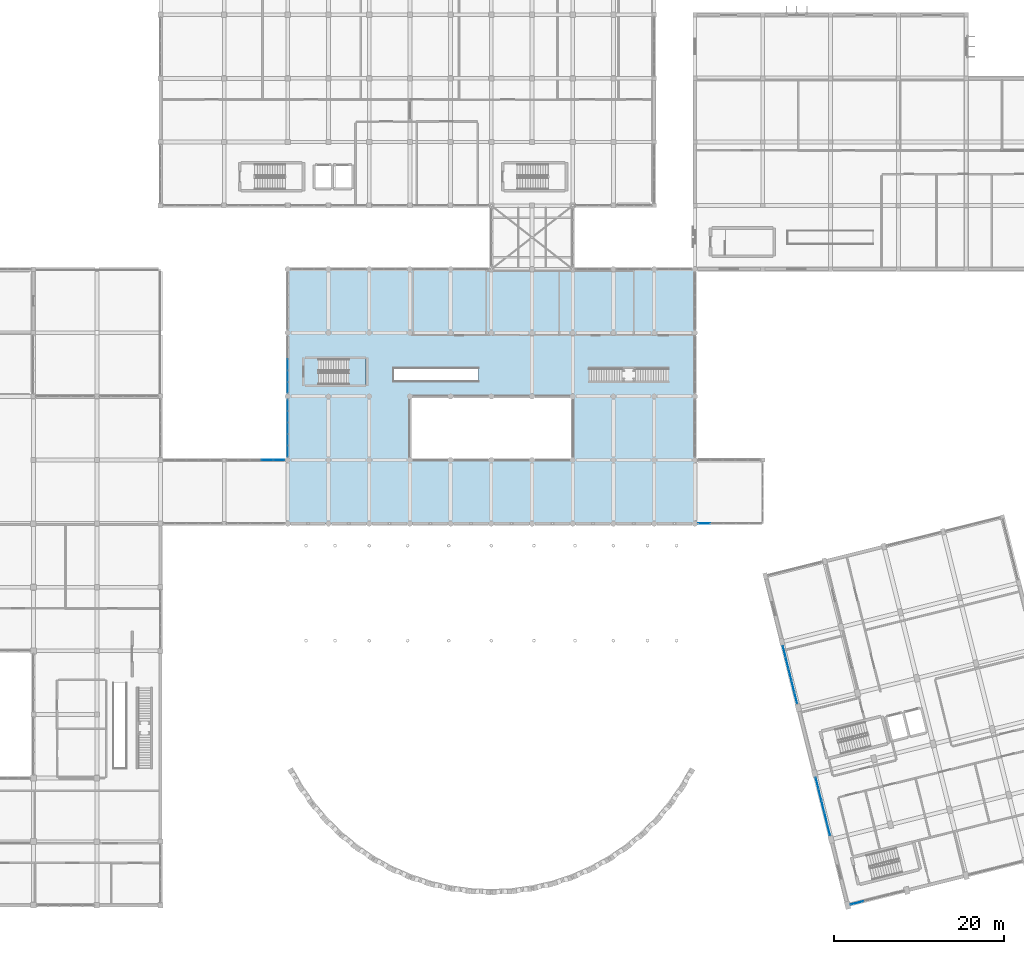
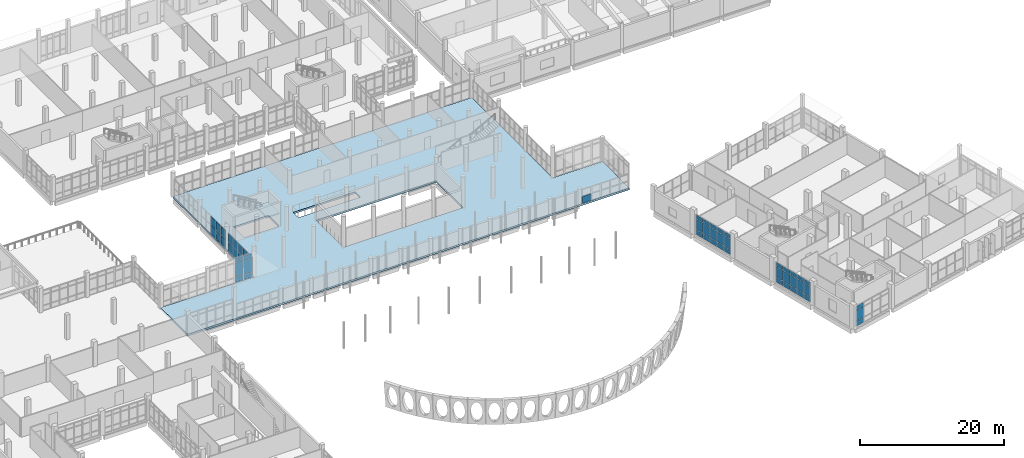
# One storey, part 126 of 164: 56 plates, 2 slabs, 8 elements without a shape of their own.
"""IFC4 building model written with IfcOpenShell, lengths in metres."""

from ifc_helpers import new_model, si_unit, direction, frame, origin, origin_2d, place, context, subcontext, project, spatial, polyline, rectangle, outline, extrude, material, layer, layer_set, type_object, element, aggregate, save


model = new_model("IFC4")

# Units and contexts
model_context = context("Model", 3, precision=1e-05, world=origin(), true_north=direction((0.0, 1.0)))
body_context = subcontext(model_context, "Body", "Model", "MODEL_VIEW")
ifc_project = project(units=[si_unit("LENGTHUNIT", "METRE"), si_unit("AREAUNIT", "SQUARE_METRE"), si_unit("VOLUMEUNIT", "CUBIC_METRE"), si_unit("PLANEANGLEUNIT", "RADIAN"), si_unit("MASSUNIT", "GRAM", prefix="KILO")], contexts=[model_context])

# Site, building, storey
site_placement = place(None, origin())
site = spatial("IfcSite", under=ifc_project, at=site_placement, CompositionType="ELEMENT")
building_placement = place(site_placement, origin())
building = spatial("IfcBuilding", under=site, at=building_placement, Name="Mawjan Specialist Oncology Clinic", CompositionType="ELEMENT")
storey_placement = place(building_placement, frame((0.0, 0.0, 5.0)))
storey = spatial("IfcBuildingStorey", under=building, at=storey_placement, Name="L01", CompositionType="ELEMENT", Elevation=5.0)

# Curtain wall, plates
ifc_material_1 = material(Name="Unitised spectrally selective aluminium curtain wall", Category="aluminium")
ifc_layer_1 = layer(ifc_material_1, 0.179931640625, Name="Unitised spectrally selective aluminium curtain wall", Category="aluminium")
ifc_layer_set_1 = layer_set([ifc_layer_1], Name="Unitised spectrally selective aluminium curtain wall")
curtain_wall_type_1 = type_object("IfcCurtainWallType", Name="CW-45", PredefinedType="NOTDEFINED", material=ifc_layer_set_1)
curtain_wall_1_placement = place(storey_placement, origin())
curtain_wall_1 = element("IfcCurtainWall", 1, at=curtain_wall_1_placement, inside=storey, type_object=curtain_wall_type_1, Name="L01 Unitised Curtain Wall CW-L01-089", PredefinedType="NOTDEFINED")
ifc_material_2 = material(Name="Spectrally selective double low-E glazing", Category="glass")
ifc_layer_2 = layer(ifc_material_2, 0.031982421875, Name="Spectrally selective double low-E glazing", Category="glass")
ifc_layer_set_2 = layer_set([ifc_layer_2], Name="Spectrally selective double low-E glazing")
plate_type = type_object("IfcPlateType", Name="CW-P32", PredefinedType="CURTAIN_PANEL", material=ifc_layer_set_2)
plate_1_placement = place(storey_placement, frame((127.121826171875, 1.079833984375, 0.06494140625), z_axis=(0.0, 0.0, 1.0), x_axis=(-0.970295704615, -0.241921982475, 0.0)))
plate_1 = element("IfcPlate", 2, at=plate_1_placement, type_object=plate_type, Name="CW-45 panel 4.1", PredefinedType="CURTAIN_PANEL", context=body_context, shape_type="SweptSolid", body=[
    extrude(rectangle(XDim=1.54248046875, YDim=0.031982421875, at=origin_2d()), origin(), (0.0, 0.0, 1.0), 0.802490234375),
])
plate_2_placement = place(storey_placement, frame((127.121826171875, 1.079833984375, 0.932373046875), z_axis=(0.0, 0.0, 1.0), x_axis=(-0.970295704615, -0.241921982475, 0.0)))
plate_2 = element("IfcPlate", 3, at=plate_2_placement, type_object=plate_type, Name="CW-45 panel 4.2", PredefinedType="CURTAIN_PANEL", context=body_context, shape_type="SweptSolid", body=[
    extrude(rectangle(XDim=1.54248046875, YDim=0.031982421875, at=origin_2d()), origin(), (0.0, 0.0, 1.0), 1.77001953125),
])
plate_3_placement = place(storey_placement, frame((127.121826171875, 1.079833984375, 2.767578125), z_axis=(0.0, 0.0, 1.0), x_axis=(-0.970295704615, -0.241921982475, 0.0)))
plate_3 = element("IfcPlate", 4, at=plate_3_placement, type_object=plate_type, Name="CW-45 panel 4.3", PredefinedType="CURTAIN_PANEL", context=body_context, shape_type="SweptSolid", body=[
    extrude(rectangle(XDim=1.54248046875, YDim=0.031982421875, at=origin_2d()), origin(), (0.0, 0.0, 1.0), 0.652587890625),
])
aggregate(curtain_wall_1, [plate_1, plate_2, plate_3])

ifc_material_3 = material(Name="Unitised spectrally selective aluminium curtain wall", Category="aluminium")
ifc_layer_3 = layer(ifc_material_3, 0.179931640625, Name="Unitised spectrally selective aluminium curtain wall", Category="aluminium")
ifc_layer_set_3 = layer_set([ifc_layer_3], Name="Unitised spectrally selective aluminium curtain wall")
curtain_wall_type_2 = type_object("IfcCurtainWallType", Name="CW-46", PredefinedType="NOTDEFINED", material=ifc_layer_set_3)
curtain_wall_2_placement = place(storey_placement, origin())
curtain_wall_2 = element("IfcCurtainWall", 5, at=curtain_wall_2_placement, inside=storey, type_object=curtain_wall_type_2, Name="L01 Unitised Curtain Wall CW-L01-090", PredefinedType="NOTDEFINED")
plate_4_placement = place(storey_placement, frame((123.776123046875, 9.71923828125, 0.06494140625), z_axis=(0.0, 0.0, 1.0), x_axis=(-0.241922078835, 0.97029568059, 0.0)))
plate_4 = element("IfcPlate", 6, at=plate_4_placement, type_object=plate_type, Name="CW-46 panel 1.1", PredefinedType="CURTAIN_PANEL", context=body_context, shape_type="SweptSolid", body=[
    extrude(rectangle(XDim=1.314453125, YDim=0.031982421875, at=origin_2d()), origin(), (0.0, 0.0, 1.0), 0.802490234375),
])
plate_5_placement = place(storey_placement, frame((123.776123046875, 9.71923828125, 0.932373046875), z_axis=(0.0, 0.0, 1.0), x_axis=(-0.241922078835, 0.97029568059, 0.0)))
plate_5 = element("IfcPlate", 7, at=plate_5_placement, type_object=plate_type, Name="CW-46 panel 1.2", PredefinedType="CURTAIN_PANEL", context=body_context, shape_type="SweptSolid", body=[
    extrude(rectangle(XDim=1.314453125, YDim=0.031982421875, at=origin_2d()), origin(), (0.0, 0.0, 1.0), 1.77001953125),
])
plate_6_placement = place(storey_placement, frame((123.776123046875, 9.71923828125, 2.767578125), z_axis=(0.0, 0.0, 1.0), x_axis=(-0.241922078835, 0.97029568059, 0.0)))
plate_6 = element("IfcPlate", 8, at=plate_6_placement, type_object=plate_type, Name="CW-46 panel 1.3", PredefinedType="CURTAIN_PANEL", context=body_context, shape_type="SweptSolid", body=[
    extrude(rectangle(XDim=1.314453125, YDim=0.031982421875, at=origin_2d()), origin(), (0.0, 0.0, 1.0), 0.652587890625),
])
plate_7_placement = place(storey_placement, frame((123.4384765625, 11.073486328125, 0.06494140625), z_axis=(0.0, 0.0, 1.0), x_axis=(-0.241922078835, 0.97029568059, 0.0)))
plate_7 = element("IfcPlate", 9, at=plate_7_placement, type_object=plate_type, Name="CW-46 panel 2.1", PredefinedType="CURTAIN_PANEL", context=body_context, shape_type="SweptSolid", body=[
    extrude(rectangle(XDim=1.346923828125, YDim=0.031982421875, at=origin_2d()), origin(), (0.0, 0.0, 1.0), 0.802490234375),
])
plate_8_placement = place(storey_placement, frame((123.4384765625, 11.073486328125, 0.932373046875), z_axis=(0.0, 0.0, 1.0), x_axis=(-0.241922078835, 0.97029568059, 0.0)))
plate_8 = element("IfcPlate", 10, at=plate_8_placement, type_object=plate_type, Name="CW-46 panel 2.2", PredefinedType="CURTAIN_PANEL", context=body_context, shape_type="SweptSolid", body=[
    extrude(rectangle(XDim=1.346923828125, YDim=0.031982421875, at=origin_2d()), origin(), (0.0, 0.0, 1.0), 1.77001953125),
])
plate_9_placement = place(storey_placement, frame((123.4384765625, 11.073486328125, 2.767578125), z_axis=(0.0, 0.0, 1.0), x_axis=(-0.241922078835, 0.97029568059, 0.0)))
plate_9 = element("IfcPlate", 11, at=plate_9_placement, type_object=plate_type, Name="CW-46 panel 2.3", PredefinedType="CURTAIN_PANEL", context=body_context, shape_type="SweptSolid", body=[
    extrude(rectangle(XDim=1.346923828125, YDim=0.031982421875, at=origin_2d()), origin(), (0.0, 0.0, 1.0), 0.652587890625),
])
plate_10_placement = place(storey_placement, frame((123.096923828125, 12.443603515625, 0.06494140625), z_axis=(0.0, 0.0, 1.0), x_axis=(-0.241922078835, 0.97029568059, 0.0)))
plate_10 = element("IfcPlate", 12, at=plate_10_placement, type_object=plate_type, Name="CW-46 panel 3.1", PredefinedType="CURTAIN_PANEL", context=body_context, shape_type="SweptSolid", body=[
    extrude(rectangle(XDim=1.346923828125, YDim=0.031982421875, at=origin_2d()), origin(), (0.0, 0.0, 1.0), 0.802490234375),
])
plate_11_placement = place(storey_placement, frame((123.096923828125, 12.443603515625, 0.932373046875), z_axis=(0.0, 0.0, 1.0), x_axis=(-0.241922078835, 0.97029568059, 0.0)))
plate_11 = element("IfcPlate", 13, at=plate_11_placement, type_object=plate_type, Name="CW-46 panel 3.2", PredefinedType="CURTAIN_PANEL", context=body_context, shape_type="SweptSolid", body=[
    extrude(rectangle(XDim=1.346923828125, YDim=0.031982421875, at=origin_2d()), origin(), (0.0, 0.0, 1.0), 1.77001953125),
])
plate_12_placement = place(storey_placement, frame((123.096923828125, 12.443603515625, 2.767578125), z_axis=(0.0, 0.0, 1.0), x_axis=(-0.241922078835, 0.97029568059, 0.0)))
plate_12 = element("IfcPlate", 14, at=plate_12_placement, type_object=plate_type, Name="CW-46 panel 3.3", PredefinedType="CURTAIN_PANEL", context=body_context, shape_type="SweptSolid", body=[
    extrude(rectangle(XDim=1.346923828125, YDim=0.031982421875, at=origin_2d()), origin(), (0.0, 0.0, 1.0), 0.652587890625),
])
plate_13_placement = place(storey_placement, frame((122.75537109375, 13.813720703125, 0.06494140625), z_axis=(0.0, 0.0, 1.0), x_axis=(-0.241922078835, 0.97029568059, 0.0)))
plate_13 = element("IfcPlate", 15, at=plate_13_placement, type_object=plate_type, Name="CW-46 panel 4.1", PredefinedType="CURTAIN_PANEL", context=body_context, shape_type="SweptSolid", body=[
    extrude(rectangle(XDim=1.346923828125, YDim=0.031982421875, at=origin_2d()), origin(), (0.0, 0.0, 1.0), 0.802490234375),
])
plate_14_placement = place(storey_placement, frame((122.75537109375, 13.813720703125, 0.932373046875), z_axis=(0.0, 0.0, 1.0), x_axis=(-0.241922078835, 0.97029568059, 0.0)))
plate_14 = element("IfcPlate", 16, at=plate_14_placement, type_object=plate_type, Name="CW-46 panel 4.2", PredefinedType="CURTAIN_PANEL", context=body_context, shape_type="SweptSolid", body=[
    extrude(rectangle(XDim=1.346923828125, YDim=0.031982421875, at=origin_2d()), origin(), (0.0, 0.0, 1.0), 1.77001953125),
])
plate_15_placement = place(storey_placement, frame((122.75537109375, 13.813720703125, 2.767578125), z_axis=(0.0, 0.0, 1.0), x_axis=(-0.241922078835, 0.97029568059, 0.0)))
plate_15 = element("IfcPlate", 17, at=plate_15_placement, type_object=plate_type, Name="CW-46 panel 4.3", PredefinedType="CURTAIN_PANEL", context=body_context, shape_type="SweptSolid", body=[
    extrude(rectangle(XDim=1.346923828125, YDim=0.031982421875, at=origin_2d()), origin(), (0.0, 0.0, 1.0), 0.652587890625),
])
plate_16_placement = place(storey_placement, frame((122.417724609375, 15.16796875, 0.06494140625), z_axis=(0.0, 0.0, 1.0), x_axis=(-0.241922078835, 0.97029568059, 0.0)))
plate_16 = element("IfcPlate", 18, at=plate_16_placement, type_object=plate_type, Name="CW-46 panel 5.1", PredefinedType="CURTAIN_PANEL", context=body_context, shape_type="SweptSolid", body=[
    extrude(rectangle(XDim=1.314453125, YDim=0.031982421875, at=origin_2d()), origin(), (0.0, 0.0, 1.0), 0.802490234375),
])
plate_17_placement = place(storey_placement, frame((122.417724609375, 15.16796875, 0.932373046875), z_axis=(0.0, 0.0, 1.0), x_axis=(-0.241922078835, 0.97029568059, 0.0)))
plate_17 = element("IfcPlate", 19, at=plate_17_placement, type_object=plate_type, Name="CW-46 panel 5.2", PredefinedType="CURTAIN_PANEL", context=body_context, shape_type="SweptSolid", body=[
    extrude(rectangle(XDim=1.314453125, YDim=0.031982421875, at=origin_2d()), origin(), (0.0, 0.0, 1.0), 1.77001953125),
])
plate_18_placement = place(storey_placement, frame((122.417724609375, 15.16796875, 2.767578125), z_axis=(0.0, 0.0, 1.0), x_axis=(-0.241922078835, 0.97029568059, 0.0)))
plate_18 = element("IfcPlate", 20, at=plate_18_placement, type_object=plate_type, Name="CW-46 panel 5.3", PredefinedType="CURTAIN_PANEL", context=body_context, shape_type="SweptSolid", body=[
    extrude(rectangle(XDim=1.314453125, YDim=0.031982421875, at=origin_2d()), origin(), (0.0, 0.0, 1.0), 0.652587890625),
])
aggregate(curtain_wall_2, [plate_4, plate_5, plate_6, plate_7, plate_8, plate_9, plate_10, plate_11, plate_12, plate_13, plate_14, plate_15, plate_16, plate_17, plate_18])

ifc_material_4 = material(Name="Unitised spectrally selective aluminium curtain wall", Category="aluminium")
ifc_layer_4 = layer(ifc_material_4, 0.179931640625, Name="Unitised spectrally selective aluminium curtain wall", Category="aluminium")
ifc_layer_set_4 = layer_set([ifc_layer_4], Name="Unitised spectrally selective aluminium curtain wall")
curtain_wall_type_3 = type_object("IfcCurtainWallType", Name="CW-47", PredefinedType="NOTDEFINED", material=ifc_layer_set_4)
curtain_wall_3_placement = place(storey_placement, origin())
curtain_wall_3 = element("IfcCurtainWall", 21, at=curtain_wall_3_placement, inside=storey, type_object=curtain_wall_type_3, Name="L01 Unitised Curtain Wall CW-L01-091", PredefinedType="NOTDEFINED")
plate_19_placement = place(storey_placement, frame((119.90478515625, 25.246337890625, 0.06494140625), z_axis=(0.0, 0.0, 1.0), x_axis=(-0.24192205179, 0.970295687333, 0.0)))
plate_19 = element("IfcPlate", 22, at=plate_19_placement, type_object=plate_type, Name="CW-47 panel 1.1", PredefinedType="CURTAIN_PANEL", context=body_context, shape_type="SweptSolid", body=[
    extrude(rectangle(XDim=1.319580078125, YDim=0.031982421875, at=origin_2d()), origin(), (0.0, 0.0, 1.0), 0.802490234375),
])
plate_20_placement = place(storey_placement, frame((119.90478515625, 25.246337890625, 0.932373046875), z_axis=(0.0, 0.0, 1.0), x_axis=(-0.24192205179, 0.970295687333, 0.0)))
plate_20 = element("IfcPlate", 23, at=plate_20_placement, type_object=plate_type, Name="CW-47 panel 1.2", PredefinedType="CURTAIN_PANEL", context=body_context, shape_type="SweptSolid", body=[
    extrude(rectangle(XDim=1.319580078125, YDim=0.031982421875, at=origin_2d()), origin(), (0.0, 0.0, 1.0), 1.77001953125),
])
plate_21_placement = place(storey_placement, frame((119.90478515625, 25.246337890625, 2.767578125), z_axis=(0.0, 0.0, 1.0), x_axis=(-0.24192205179, 0.970295687333, 0.0)))
plate_21 = element("IfcPlate", 24, at=plate_21_placement, type_object=plate_type, Name="CW-47 panel 1.3", PredefinedType="CURTAIN_PANEL", context=body_context, shape_type="SweptSolid", body=[
    extrude(rectangle(XDim=1.319580078125, YDim=0.031982421875, at=origin_2d()), origin(), (0.0, 0.0, 1.0), 0.652587890625),
])
plate_22_placement = place(storey_placement, frame((119.56591796875, 26.60546875, 0.06494140625), z_axis=(0.0, 0.0, 1.0), x_axis=(-0.24192205179, 0.970295687333, 0.0)))
plate_22 = element("IfcPlate", 25, at=plate_22_placement, type_object=plate_type, Name="CW-47 panel 2.1", PredefinedType="CURTAIN_PANEL", context=body_context, shape_type="SweptSolid", body=[
    extrude(rectangle(XDim=1.35205078125, YDim=0.031982421875, at=origin_2d()), origin(), (0.0, 0.0, 1.0), 0.802490234375),
])
plate_23_placement = place(storey_placement, frame((119.56591796875, 26.60546875, 0.932373046875), z_axis=(0.0, 0.0, 1.0), x_axis=(-0.24192205179, 0.970295687333, 0.0)))
plate_23 = element("IfcPlate", 26, at=plate_23_placement, type_object=plate_type, Name="CW-47 panel 2.2", PredefinedType="CURTAIN_PANEL", context=body_context, shape_type="SweptSolid", body=[
    extrude(rectangle(XDim=1.35205078125, YDim=0.031982421875, at=origin_2d()), origin(), (0.0, 0.0, 1.0), 1.77001953125),
])
plate_24_placement = place(storey_placement, frame((119.56591796875, 26.60546875, 2.767578125), z_axis=(0.0, 0.0, 1.0), x_axis=(-0.24192205179, 0.970295687333, 0.0)))
plate_24 = element("IfcPlate", 27, at=plate_24_placement, type_object=plate_type, Name="CW-47 panel 2.3", PredefinedType="CURTAIN_PANEL", context=body_context, shape_type="SweptSolid", body=[
    extrude(rectangle(XDim=1.35205078125, YDim=0.031982421875, at=origin_2d()), origin(), (0.0, 0.0, 1.0), 0.652587890625),
])
plate_25_placement = place(storey_placement, frame((119.22314453125, 27.98046875, 0.06494140625), z_axis=(0.0, 0.0, 1.0), x_axis=(-0.24192205179, 0.970295687333, 0.0)))
plate_25 = element("IfcPlate", 28, at=plate_25_placement, type_object=plate_type, Name="CW-47 panel 3.1", PredefinedType="CURTAIN_PANEL", context=body_context, shape_type="SweptSolid", body=[
    extrude(rectangle(XDim=1.35205078125, YDim=0.031982421875, at=origin_2d()), origin(), (0.0, 0.0, 1.0), 0.802490234375),
])
plate_26_placement = place(storey_placement, frame((119.22314453125, 27.98046875, 0.932373046875), z_axis=(0.0, 0.0, 1.0), x_axis=(-0.24192205179, 0.970295687333, 0.0)))
plate_26 = element("IfcPlate", 29, at=plate_26_placement, type_object=plate_type, Name="CW-47 panel 3.2", PredefinedType="CURTAIN_PANEL", context=body_context, shape_type="SweptSolid", body=[
    extrude(rectangle(XDim=1.35205078125, YDim=0.031982421875, at=origin_2d()), origin(), (0.0, 0.0, 1.0), 1.77001953125),
])
plate_27_placement = place(storey_placement, frame((119.22314453125, 27.98046875, 2.767578125), z_axis=(0.0, 0.0, 1.0), x_axis=(-0.24192205179, 0.970295687333, 0.0)))
plate_27 = element("IfcPlate", 30, at=plate_27_placement, type_object=plate_type, Name="CW-47 panel 3.3", PredefinedType="CURTAIN_PANEL", context=body_context, shape_type="SweptSolid", body=[
    extrude(rectangle(XDim=1.35205078125, YDim=0.031982421875, at=origin_2d()), origin(), (0.0, 0.0, 1.0), 0.652587890625),
])
plate_28_placement = place(storey_placement, frame((118.88037109375, 29.355224609375, 0.06494140625), z_axis=(0.0, 0.0, 1.0), x_axis=(-0.24192205179, 0.970295687333, 0.0)))
plate_28 = element("IfcPlate", 31, at=plate_28_placement, type_object=plate_type, Name="CW-47 panel 4.1", PredefinedType="CURTAIN_PANEL", context=body_context, shape_type="SweptSolid", body=[
    extrude(rectangle(XDim=1.35205078125, YDim=0.031982421875, at=origin_2d()), origin(), (0.0, 0.0, 1.0), 0.802490234375),
])
plate_29_placement = place(storey_placement, frame((118.88037109375, 29.355224609375, 0.932373046875), z_axis=(0.0, 0.0, 1.0), x_axis=(-0.24192205179, 0.970295687333, 0.0)))
plate_29 = element("IfcPlate", 32, at=plate_29_placement, type_object=plate_type, Name="CW-47 panel 4.2", PredefinedType="CURTAIN_PANEL", context=body_context, shape_type="SweptSolid", body=[
    extrude(rectangle(XDim=1.35205078125, YDim=0.031982421875, at=origin_2d()), origin(), (0.0, 0.0, 1.0), 1.77001953125),
])
plate_30_placement = place(storey_placement, frame((118.88037109375, 29.355224609375, 2.767578125), z_axis=(0.0, 0.0, 1.0), x_axis=(-0.24192205179, 0.970295687333, 0.0)))
plate_30 = element("IfcPlate", 33, at=plate_30_placement, type_object=plate_type, Name="CW-47 panel 4.3", PredefinedType="CURTAIN_PANEL", context=body_context, shape_type="SweptSolid", body=[
    extrude(rectangle(XDim=1.35205078125, YDim=0.031982421875, at=origin_2d()), origin(), (0.0, 0.0, 1.0), 0.652587890625),
])
plate_31_placement = place(storey_placement, frame((118.54150390625, 30.71435546875, 0.06494140625), z_axis=(0.0, 0.0, 1.0), x_axis=(-0.24192205179, 0.970295687333, 0.0)))
plate_31 = element("IfcPlate", 34, at=plate_31_placement, type_object=plate_type, Name="CW-47 panel 5.1", PredefinedType="CURTAIN_PANEL", context=body_context, shape_type="SweptSolid", body=[
    extrude(rectangle(XDim=1.319580078125, YDim=0.031982421875, at=origin_2d()), origin(), (0.0, 0.0, 1.0), 0.802490234375),
])
plate_32_placement = place(storey_placement, frame((118.54150390625, 30.71435546875, 0.932373046875), z_axis=(0.0, 0.0, 1.0), x_axis=(-0.24192205179, 0.970295687333, 0.0)))
plate_32 = element("IfcPlate", 35, at=plate_32_placement, type_object=plate_type, Name="CW-47 panel 5.2", PredefinedType="CURTAIN_PANEL", context=body_context, shape_type="SweptSolid", body=[
    extrude(rectangle(XDim=1.319580078125, YDim=0.031982421875, at=origin_2d()), origin(), (0.0, 0.0, 1.0), 1.77001953125),
])
plate_33_placement = place(storey_placement, frame((118.54150390625, 30.71435546875, 2.767578125), z_axis=(0.0, 0.0, 1.0), x_axis=(-0.24192205179, 0.970295687333, 0.0)))
plate_33 = element("IfcPlate", 36, at=plate_33_placement, type_object=plate_type, Name="CW-47 panel 5.3", PredefinedType="CURTAIN_PANEL", context=body_context, shape_type="SweptSolid", body=[
    extrude(rectangle(XDim=1.319580078125, YDim=0.031982421875, at=origin_2d()), origin(), (0.0, 0.0, 1.0), 0.652587890625),
])
aggregate(curtain_wall_3, [plate_19, plate_20, plate_21, plate_22, plate_23, plate_24, plate_25, plate_26, plate_27, plate_28, plate_29, plate_30, plate_31, plate_32, plate_33])

ifc_material_5 = material(Name="Unitised spectrally selective aluminium curtain wall", Category="aluminium")
ifc_layer_5 = layer(ifc_material_5, 0.179931640625, Name="Unitised spectrally selective aluminium curtain wall", Category="aluminium")
ifc_layer_set_5 = layer_set([ifc_layer_5], Name="Unitised spectrally selective aluminium curtain wall")
curtain_wall_type_4 = type_object("IfcCurtainWallType", Name="CW-54", PredefinedType="NOTDEFINED", material=ifc_layer_set_5)
curtain_wall_4_placement = place(storey_placement, origin())
curtain_wall_4 = element("IfcCurtainWall", 37, at=curtain_wall_4_placement, inside=storey, type_object=curtain_wall_type_4, Name="L01 Unitised Curtain Wall CW-L01-099", PredefinedType="NOTDEFINED")
plate_34_placement = place(storey_placement, frame((57.589599609375, 53.300048828125, 0.070068359375), z_axis=(0.0, 0.0, 1.0), x_axis=(1.0, 0.0, 0.0)))
plate_34 = element("IfcPlate", 38, at=plate_34_placement, type_object=plate_type, Name="CW-54 panel 4.1", PredefinedType="CURTAIN_PANEL", context=body_context, shape_type="SweptSolid", body=[
    extrude(rectangle(XDim=1.306884765625, YDim=0.031982421875, at=origin_2d()), origin(), (0.0, 0.0, 1.0), 0.794921875),
])
plate_35_placement = place(storey_placement, frame((57.589599609375, 53.300048828125, 0.93505859375), z_axis=(0.0, 0.0, 1.0), x_axis=(1.0, 0.0, 0.0)))
plate_35 = element("IfcPlate", 39, at=plate_35_placement, type_object=plate_type, Name="CW-54 panel 4.2", PredefinedType="CURTAIN_PANEL", context=body_context, shape_type="SweptSolid", body=[
    extrude(rectangle(XDim=1.306884765625, YDim=0.031982421875, at=origin_2d()), origin(), (0.0, 0.0, 1.0), 2.449951171875),
])
plate_36_placement = place(storey_placement, frame((57.589599609375, 53.300048828125, 3.455078125), z_axis=(0.0, 0.0, 1.0), x_axis=(1.0, 0.0, 0.0)))
plate_36 = element("IfcPlate", 40, at=plate_36_placement, type_object=plate_type, Name="CW-54 panel 4.3", PredefinedType="CURTAIN_PANEL", context=body_context, shape_type="SweptSolid", body=[
    extrude(rectangle(XDim=1.306884765625, YDim=0.031982421875, at=origin_2d()), origin(), (0.0, 0.0, 1.0), 0.64501953125),
])
plate_37_placement = place(storey_placement, frame((58.948974609375, 53.300048828125, 0.070068359375), z_axis=(0.0, 0.0, 1.0), x_axis=(1.0, 0.0, 0.0)))
plate_37 = element("IfcPlate", 41, at=plate_37_placement, type_object=plate_type, Name="CW-54 panel 5.1", PredefinedType="CURTAIN_PANEL", context=body_context, shape_type="SweptSolid", body=[
    extrude(rectangle(XDim=1.27197265625, YDim=0.031982421875, at=origin_2d()), origin(), (0.0, 0.0, 1.0), 0.794921875),
])
plate_38_placement = place(storey_placement, frame((58.948974609375, 53.300048828125, 0.93505859375), z_axis=(0.0, 0.0, 1.0), x_axis=(1.0, 0.0, 0.0)))
plate_38 = element("IfcPlate", 42, at=plate_38_placement, type_object=plate_type, Name="CW-54 panel 5.2", PredefinedType="CURTAIN_PANEL", context=body_context, shape_type="SweptSolid", body=[
    extrude(rectangle(XDim=1.27197265625, YDim=0.031982421875, at=origin_2d()), origin(), (0.0, 0.0, 1.0), 2.449951171875),
])
plate_39_placement = place(storey_placement, frame((58.948974609375, 53.300048828125, 3.455078125), z_axis=(0.0, 0.0, 1.0), x_axis=(1.0, 0.0, 0.0)))
plate_39 = element("IfcPlate", 43, at=plate_39_placement, type_object=plate_type, Name="CW-54 panel 5.3", PredefinedType="CURTAIN_PANEL", context=body_context, shape_type="SweptSolid", body=[
    extrude(rectangle(XDim=1.27197265625, YDim=0.031982421875, at=origin_2d()), origin(), (0.0, 0.0, 1.0), 0.64501953125),
])
aggregate(curtain_wall_4, [plate_34, plate_35, plate_36, plate_37, plate_38, plate_39])

ifc_material_6 = material(Name="Unitised spectrally selective aluminium curtain wall", Category="aluminium")
ifc_layer_6 = layer(ifc_material_6, 0.179931640625, Name="Unitised spectrally selective aluminium curtain wall", Category="aluminium")
ifc_layer_set_6 = layer_set([ifc_layer_6], Name="Unitised spectrally selective aluminium curtain wall")
curtain_wall_type_5 = type_object("IfcCurtainWallType", Name="CW-55", PredefinedType="NOTDEFINED", material=ifc_layer_set_6)
curtain_wall_5_placement = place(storey_placement, origin())
curtain_wall_5 = element("IfcCurtainWall", 44, at=curtain_wall_5_placement, inside=storey, type_object=curtain_wall_type_5, Name="L01 Unitised Curtain Wall CW-L01-100", PredefinedType="NOTDEFINED")
plate_40_placement = place(storey_placement, frame((60.0, 54.34228515625, 0.06494140625), z_axis=(0.0, 0.0, 1.0), x_axis=(0.0, 1.0, 0.0)))
plate_40 = element("IfcPlate", 45, at=plate_40_placement, type_object=plate_type, Name="CW-55 panel 1.1", PredefinedType="CURTAIN_PANEL", context=body_context, shape_type="SweptSolid", body=[
    extrude(rectangle(XDim=1.264404296875, YDim=0.031982421875, at=origin_2d()), origin(), (0.0, 0.0, 1.0), 1.472412109375),
])
plate_41_placement = place(storey_placement, frame((60.0, 54.34228515625, 1.6025390625), z_axis=(0.0, 0.0, 1.0), x_axis=(0.0, 1.0, 0.0)))
plate_41 = element("IfcPlate", 46, at=plate_41_placement, type_object=plate_type, Name="CW-55 panel 1.2", PredefinedType="CURTAIN_PANEL", context=body_context, shape_type="SweptSolid", body=[
    extrude(rectangle(XDim=1.264404296875, YDim=0.031982421875, at=origin_2d()), origin(), (0.0, 0.0, 1.0), 1.472412109375),
])
plate_42_placement = place(storey_placement, frame((60.0, 55.68798828125, 0.06494140625), z_axis=(0.0, 0.0, 1.0), x_axis=(0.0, 1.0, 0.0)))
plate_42 = element("IfcPlate", 47, at=plate_42_placement, type_object=plate_type, Name="CW-55 panel 2.1", PredefinedType="CURTAIN_PANEL", context=body_context, shape_type="SweptSolid", body=[
    extrude(rectangle(XDim=1.297119140625, YDim=0.031982421875, at=origin_2d()), origin(), (0.0, 0.0, 1.0), 1.472412109375),
])
plate_43_placement = place(storey_placement, frame((60.0, 55.68798828125, 1.6025390625), z_axis=(0.0, 0.0, 1.0), x_axis=(0.0, 1.0, 0.0)))
plate_43 = element("IfcPlate", 48, at=plate_43_placement, type_object=plate_type, Name="CW-55 panel 2.2", PredefinedType="CURTAIN_PANEL", context=body_context, shape_type="SweptSolid", body=[
    extrude(rectangle(XDim=1.297119140625, YDim=0.031982421875, at=origin_2d()), origin(), (0.0, 0.0, 1.0), 1.472412109375),
])
plate_44_placement = place(storey_placement, frame((60.0, 57.050048828125, 0.06494140625), z_axis=(0.0, 0.0, 1.0), x_axis=(0.0, 1.0, 0.0)))
plate_44 = element("IfcPlate", 49, at=plate_44_placement, type_object=plate_type, Name="CW-55 panel 3.1", PredefinedType="CURTAIN_PANEL", context=body_context, shape_type="SweptSolid", body=[
    extrude(rectangle(XDim=1.297119140625, YDim=0.031982421875, at=origin_2d()), origin(), (0.0, 0.0, 1.0), 1.472412109375),
])
plate_45_placement = place(storey_placement, frame((60.0, 57.050048828125, 1.6025390625), z_axis=(0.0, 0.0, 1.0), x_axis=(0.0, 1.0, 0.0)))
plate_45 = element("IfcPlate", 50, at=plate_45_placement, type_object=plate_type, Name="CW-55 panel 3.2", PredefinedType="CURTAIN_PANEL", context=body_context, shape_type="SweptSolid", body=[
    extrude(rectangle(XDim=1.297119140625, YDim=0.031982421875, at=origin_2d()), origin(), (0.0, 0.0, 1.0), 1.472412109375),
])
plate_46_placement = place(storey_placement, frame((60.0, 58.412109375, 0.06494140625), z_axis=(0.0, 0.0, 1.0), x_axis=(0.0, 1.0, 0.0)))
plate_46 = element("IfcPlate", 51, at=plate_46_placement, type_object=plate_type, Name="CW-55 panel 4.1", PredefinedType="CURTAIN_PANEL", context=body_context, shape_type="SweptSolid", body=[
    extrude(rectangle(XDim=1.297119140625, YDim=0.031982421875, at=origin_2d()), origin(), (0.0, 0.0, 1.0), 1.472412109375),
])
plate_47_placement = place(storey_placement, frame((60.0, 58.412109375, 1.6025390625), z_axis=(0.0, 0.0, 1.0), x_axis=(0.0, 1.0, 0.0)))
plate_47 = element("IfcPlate", 52, at=plate_47_placement, type_object=plate_type, Name="CW-55 panel 4.2", PredefinedType="CURTAIN_PANEL", context=body_context, shape_type="SweptSolid", body=[
    extrude(rectangle(XDim=1.297119140625, YDim=0.031982421875, at=origin_2d()), origin(), (0.0, 0.0, 1.0), 1.472412109375),
])
plate_48_placement = place(storey_placement, frame((60.0, 59.7578125, 0.06494140625), z_axis=(0.0, 0.0, 1.0), x_axis=(0.0, 1.0, 0.0)))
plate_48 = element("IfcPlate", 53, at=plate_48_placement, type_object=plate_type, Name="CW-55 panel 5.1", PredefinedType="CURTAIN_PANEL", context=body_context, shape_type="SweptSolid", body=[
    extrude(rectangle(XDim=1.264404296875, YDim=0.031982421875, at=origin_2d()), origin(), (0.0, 0.0, 1.0), 1.472412109375),
])
plate_49_placement = place(storey_placement, frame((60.0, 59.7578125, 1.6025390625), z_axis=(0.0, 0.0, 1.0), x_axis=(0.0, 1.0, 0.0)))
plate_49 = element("IfcPlate", 54, at=plate_49_placement, type_object=plate_type, Name="CW-55 panel 5.2", PredefinedType="CURTAIN_PANEL", context=body_context, shape_type="SweptSolid", body=[
    extrude(rectangle(XDim=1.264404296875, YDim=0.031982421875, at=origin_2d()), origin(), (0.0, 0.0, 1.0), 1.472412109375),
])
aggregate(curtain_wall_5, [plate_40, plate_41, plate_42, plate_43, plate_44, plate_45, plate_46, plate_47, plate_48, plate_49])

curtain_wall_6_placement = place(storey_placement, origin())
curtain_wall_6 = element("IfcCurtainWall", 55, at=curtain_wall_6_placement, inside=storey, type_object=curtain_wall_type_5, Name="L01 Unitised Curtain Wall CW-L01-101", PredefinedType="NOTDEFINED")
plate_50_placement = place(storey_placement, frame((60.0, 61.84228515625, 0.06494140625), z_axis=(0.0, 0.0, 1.0), x_axis=(0.0, 1.0, 0.0)))
plate_50 = element("IfcPlate", 56, at=plate_50_placement, type_object=plate_type, Name="CW-55 panel 1.1", PredefinedType="CURTAIN_PANEL", context=body_context, shape_type="SweptSolid", body=[
    extrude(rectangle(XDim=1.264404296875, YDim=0.031982421875, at=origin_2d()), origin(), (0.0, 0.0, 1.0), 1.472412109375),
])
plate_51_placement = place(storey_placement, frame((60.0, 61.84228515625, 1.6025390625), z_axis=(0.0, 0.0, 1.0), x_axis=(0.0, 1.0, 0.0)))
plate_51 = element("IfcPlate", 57, at=plate_51_placement, type_object=plate_type, Name="CW-55 panel 1.2", PredefinedType="CURTAIN_PANEL", context=body_context, shape_type="SweptSolid", body=[
    extrude(rectangle(XDim=1.264404296875, YDim=0.031982421875, at=origin_2d()), origin(), (0.0, 0.0, 1.0), 1.472412109375),
])
plate_52_placement = place(storey_placement, frame((60.0, 63.18798828125, 0.06494140625), z_axis=(0.0, 0.0, 1.0), x_axis=(0.0, 1.0, 0.0)))
plate_52 = element("IfcPlate", 58, at=plate_52_placement, type_object=plate_type, Name="CW-55 panel 2.1", PredefinedType="CURTAIN_PANEL", context=body_context, shape_type="SweptSolid", body=[
    extrude(rectangle(XDim=1.297119140625, YDim=0.031982421875, at=origin_2d()), origin(), (0.0, 0.0, 1.0), 1.472412109375),
])
plate_53_placement = place(storey_placement, frame((60.0, 63.18798828125, 1.6025390625), z_axis=(0.0, 0.0, 1.0), x_axis=(0.0, 1.0, 0.0)))
plate_53 = element("IfcPlate", 59, at=plate_53_placement, type_object=plate_type, Name="CW-55 panel 2.2", PredefinedType="CURTAIN_PANEL", context=body_context, shape_type="SweptSolid", body=[
    extrude(rectangle(XDim=1.297119140625, YDim=0.031982421875, at=origin_2d()), origin(), (0.0, 0.0, 1.0), 1.472412109375),
])
plate_54_placement = place(storey_placement, frame((60.0, 64.550048828125, 0.06494140625), z_axis=(0.0, 0.0, 1.0), x_axis=(0.0, 1.0, 0.0)))
plate_54 = element("IfcPlate", 60, at=plate_54_placement, type_object=plate_type, Name="CW-55 panel 3.1", PredefinedType="CURTAIN_PANEL", context=body_context, shape_type="SweptSolid", body=[
    extrude(rectangle(XDim=1.297119140625, YDim=0.031982421875, at=origin_2d()), origin(), (0.0, 0.0, 1.0), 1.472412109375),
])
plate_55_placement = place(storey_placement, frame((60.0, 64.550048828125, 1.6025390625), z_axis=(0.0, 0.0, 1.0), x_axis=(0.0, 1.0, 0.0)))
plate_55 = element("IfcPlate", 61, at=plate_55_placement, type_object=plate_type, Name="CW-55 panel 3.2", PredefinedType="CURTAIN_PANEL", context=body_context, shape_type="SweptSolid", body=[
    extrude(rectangle(XDim=1.297119140625, YDim=0.031982421875, at=origin_2d()), origin(), (0.0, 0.0, 1.0), 1.472412109375),
])
aggregate(curtain_wall_6, [plate_50, plate_51, plate_52, plate_53, plate_54, plate_55])

# Curtain wall, plate
ifc_material_7 = material(Name="Unitised spectrally selective aluminium curtain wall", Category="aluminium")
ifc_layer_7 = layer(ifc_material_7, 0.179931640625, Name="Unitised spectrally selective aluminium curtain wall", Category="aluminium")
ifc_layer_set_7 = layer_set([ifc_layer_7], Name="Unitised spectrally selective aluminium curtain wall")
curtain_wall_type_6 = type_object("IfcCurtainWallType", Name="CW-69", PredefinedType="NOTDEFINED", material=ifc_layer_set_7)
curtain_wall_7_placement = place(storey_placement, origin())
curtain_wall_7 = element("IfcCurtainWall", 62, at=curtain_wall_7_placement, inside=storey, type_object=curtain_wall_type_6, Name="L01 Unitised Curtain Wall CW-L01-137", PredefinedType="NOTDEFINED")
plate_56_placement = place(storey_placement, frame((109.11572265625, 45.800048828125, 0.06494140625), z_axis=(0.0, 0.0, 1.0), x_axis=(-1.0, 0.0, 0.0)))
plate_56 = element("IfcPlate", 63, at=plate_56_placement, type_object=plate_type, Name="CW-69 panel 5.1", PredefinedType="CURTAIN_PANEL", context=body_context, shape_type="SweptSolid", body=[
    extrude(rectangle(XDim=1.41162109375, YDim=0.031982421875, at=origin_2d()), origin(), (0.0, 0.0, 1.0), 1.152587890625),
])
aggregate(curtain_wall_7, [plate_56])

# Slab
ifc_material_8 = material(Name="Concrete C35/45", Category="concrete")
ifc_layer_8 = layer(ifc_material_8, 0.300048828125, Name="Concrete C35/45", Category="concrete")
ifc_layer_set_8 = layer_set([ifc_layer_8], Name="Concrete C35/45")
slab_type_1 = type_object("IfcSlabType", Name="FS-300", PredefinedType="FLOOR", material=ifc_layer_set_8)
slab_1_placement = place(storey_placement, frame((0.0, 0.0, -0.300048828125)))
element("IfcSlab", 64, at=slab_1_placement, inside=storey, type_object=slab_type_1, Name="L01 Treatment and Infusion Hall Slab SLB-V1-L01", PredefinedType="FLOOR", context=body_context, shape_type="SweptSolid", body=[
    extrude(outline(polyline([(45.0, 45.800048828125), (116.0, 45.800048828125), (116.0, 53.300048828125), (108.0, 53.300048828125), (108.0, 75.800048828125), (60.0, 75.800048828125), (60.0, 53.300048828125), (45.0, 53.300048828125), (45.0, 45.800048828125)]), holes=[polyline([(74.39990234375, 53.300048828125), (93.60009765625, 53.300048828125), (93.60009765625, 60.800048828125), (74.39990234375, 60.800048828125), (74.39990234375, 53.300048828125)]), polyline([(63.60009765625, 62.199951171875), (69.199951171875, 62.199951171875), (69.199951171875, 65.199951171875), (63.60009765625, 65.199951171875), (63.60009765625, 62.199951171875)]), polyline([(72.5, 62.625), (82.5, 62.625), (82.5, 64.074951171875), (72.5, 64.074951171875), (72.5, 62.625)])]), origin(), (0.0, 0.0, 1.0), 0.300048828125),
])

# Stair, slab
ifc_material_9 = material(Name="Concrete C35/45", Category="concrete")
stair_type = type_object("IfcStairType", Name="STR-CORE45", PredefinedType="HALF_TURN_STAIR", material=ifc_material_9)
stair_placement = place(storey_placement, origin())
stair = element("IfcStair", 65, at=stair_placement, inside=storey, type_object=stair_type, Name="L01 Exit Stair ST-07", PredefinedType="HALF_TURN_STAIR")
ifc_material_10 = material(Name="Concrete C35/45", Category="concrete")
ifc_layer_9 = layer(ifc_material_10, 0.199951171875, Name="Concrete C35/45", Category="concrete")
ifc_layer_set_9 = layer_set([ifc_layer_9], Name="Concrete C35/45")
slab_type_2 = type_object("IfcSlabType", Name="LND-200", PredefinedType="LANDING", material=ifc_layer_set_9)
slab_2_placement = place(storey_placement, frame((0.0, 0.0, 2.050048828125)))
slab_2 = element("IfcSlab", 66, at=slab_2_placement, type_object=slab_type_2, Name="ST-07 landing 1", PredefinedType="LANDING", context=body_context, shape_type="SweptSolid", body=[
    extrude(outline(polyline([(67.166748046875, 62.150146484375), (69.2333984375, 62.150146484375), (69.2333984375, 65.25), (67.166748046875, 65.25), (67.166748046875, 62.150146484375)])), origin(), (0.0, 0.0, 1.0), 0.199951171875),
])
aggregate(stair, [slab_2])

save(model, "model.ifc")
